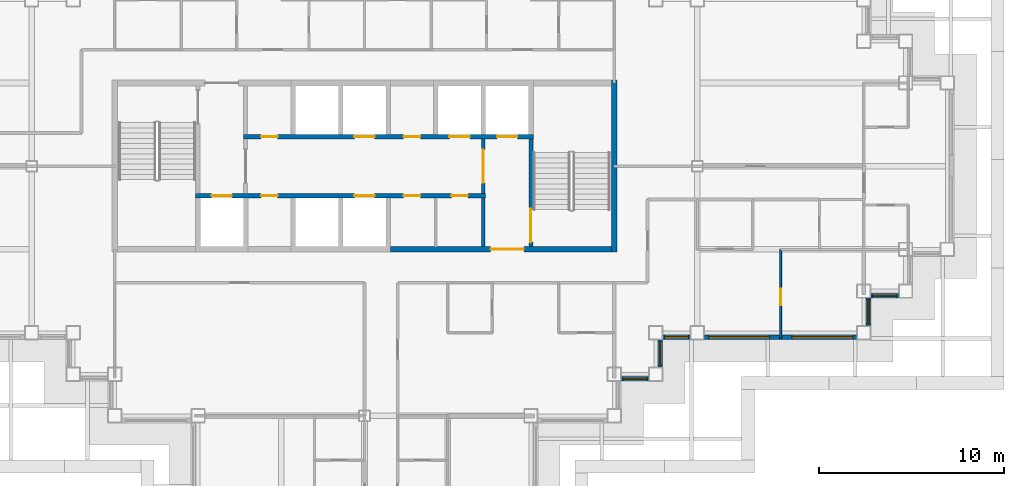
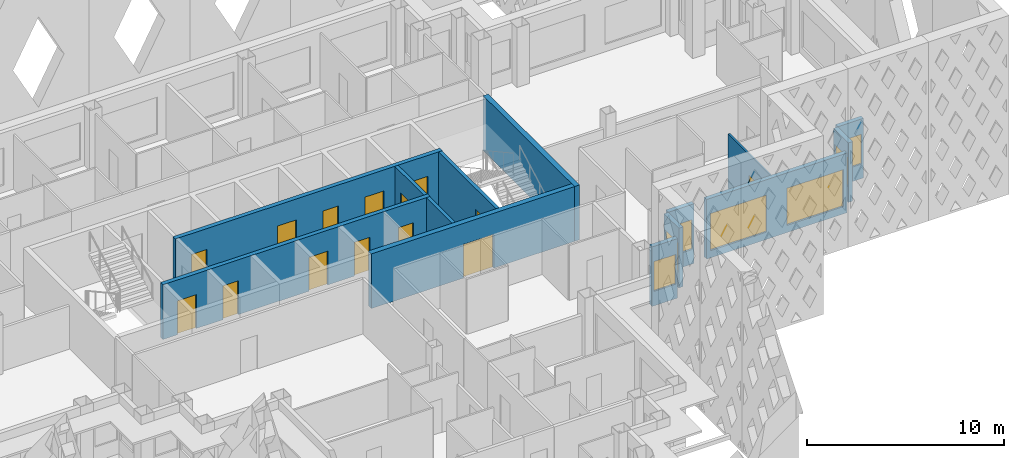
# One storey, part 6 of 18: 14 doors, 14 walls, 7 windows, 21 openings.
"""IFC4 building model written with IfcOpenShell, lengths in metres."""

import ifcopenshell
import ifcopenshell.guid

model = None  # the IFC model being written
_history = None  # IfcOwnerHistory: only IFC2X3 demands one
_inside = {}  # id of a spatial element -> (the spatial element, [elements in it])
_under = {}  # id of a project, library or spatial element -> (it, [spatial elements below it])
_declared = {}  # id of a project -> (the project, [libraries it declares])
_typed = {}  # id of a type object -> (the type object, [elements of that type])
_made_of = {}  # id of a material, layer set ... -> (it, [elements and type objects made of it])


def new_model(schema):
    """Start an empty IFC model of exactly this schema.

    Asked for "IFC4X3", IfcOpenShell would pick the latest addendum, in which some entities
    have other attributes; the version numbers below select the first issue.
    IFC2X3 requires an IfcOwnerHistory on every rooted entity: one is made here for all.
    """
    global model, _history
    if schema == "IFC4X3":
        model = ifcopenshell.file(schema_version=(4, 3, 0, 0))
    else:
        model = ifcopenshell.file(schema=schema)
    _inside.clear()
    _under.clear()
    _declared.clear()
    _typed.clear()
    _made_of.clear()
    _history = None
    if model.schema == "IFC2X3":
        org = make("IfcOrganization", Name="unknown")
        user = make(
            "IfcPersonAndOrganization",
            ThePerson=make("IfcPerson", FamilyName="unknown"),
            TheOrganization=org,
        )
        app = make(
            "IfcApplication",
            ApplicationDeveloper=org,
            Version="unknown",
            ApplicationFullName="unknown",
            ApplicationIdentifier="unknown",
        )
        _history = make(
            "IfcOwnerHistory",
            OwningUser=user,
            OwningApplication=app,
            ChangeAction="ADDED",
            CreationDate=0,
        )
    return model


def make(cls, **values):
    """One entity of the class cls with the attributes given. An attribute that is None is left unset."""
    return model.create_entity(
        cls, **{name: value for name, value in values.items() if value is not None}
    )


def rooted(cls, **values):
    """An entity with a GlobalId (a new one), such as an element, a storey or a relation."""
    return make(cls, GlobalId=ifcopenshell.guid.new(), OwnerHistory=_history, **values)


def si_unit(unit_type, name, prefix=None):
    """IfcSIUnit, for example si_unit("LENGTHUNIT", "METRE", prefix="MILLI")."""
    return make("IfcSIUnit", UnitType=unit_type, Prefix=prefix, Name=name)


def assignment(units):
    """IfcUnitAssignment: the units of a project."""
    return None if units is None else make("IfcUnitAssignment", Units=units)


def point(xyz):
    """IfcCartesianPoint."""
    return None if xyz is None else make("IfcCartesianPoint", Coordinates=xyz)


def direction(xyz):
    """IfcDirection."""
    return None if xyz is None else make("IfcDirection", DirectionRatios=xyz)


def frame(location, z_axis=None, x_axis=None):
    """IfcAxis2Placement3D, a coordinate frame: its origin and axes. An axis left out is left unset."""
    return make(
        "IfcAxis2Placement3D",
        Location=point(location),
        Axis=direction(z_axis),
        RefDirection=direction(x_axis),
    )


def frame_2d(location, x_axis=None):
    """IfcAxis2Placement2D, a coordinate frame in the plane: its origin and x axis."""
    return make(
        "IfcAxis2Placement2D", Location=point(location), RefDirection=direction(x_axis)
    )


def origin():
    """The frame at (0, 0, 0) with its axes left unset."""
    return frame((0.0, 0.0, 0.0))


def place(relative_to, where):
    """IfcLocalPlacement: puts the frame where relative to a parent placement (None: the world)."""
    return make(
        "IfcLocalPlacement", PlacementRelTo=relative_to, RelativePlacement=where
    )


def context(
    kind, dimensions, precision=None, world=None, true_north=None, identifier=None
):
    """IfcGeometricRepresentationContext, for example the 3D "Model" context."""
    return make(
        "IfcGeometricRepresentationContext",
        ContextIdentifier=identifier,
        ContextType=kind,
        CoordinateSpaceDimension=dimensions,
        Precision=precision,
        WorldCoordinateSystem=world,
        TrueNorth=true_north,
    )


def subcontext(parent, identifier, kind, view, scale=None):
    """IfcGeometricRepresentationSubContext, for example "Body" below "Model"."""
    return make(
        "IfcGeometricRepresentationSubContext",
        ContextIdentifier=identifier,
        ContextType=kind,
        ParentContext=parent,
        TargetScale=scale,
        TargetView=view,
    )


def project(units=None, contexts=None):
    """IfcProject with its units and contexts."""
    return rooted(
        "IfcProject",
        Name="project",
        RepresentationContexts=contexts,
        UnitsInContext=assignment(units),
    )


def spatial(cls, under=None, at=None, **own):
    """A site, building, storey or space (cls), placed at a placement, below another one or the project."""
    s = rooted(cls, ObjectPlacement=at, **own)
    if under is not None:
        _under.setdefault(under.id(), (under, []))[1].append(s)
    return s


def profile(cls, at=None, kind="AREA", **sizes):
    """A parametric profile (cls). Its sizes go by their IFC names, for example OverallWidth=200.0."""
    return make(cls, ProfileType=kind, Position=at, **sizes)


def rectangle(**sizes):
    """IfcRectangleProfileDef."""
    return profile("IfcRectangleProfileDef", **sizes)


def extrude(swept, where, along, depth):
    """IfcExtrudedAreaSolid: the profile swept, set in the frame where, extruded along a direction by depth."""
    return make(
        "IfcExtrudedAreaSolid",
        SweptArea=swept,
        Position=where,
        ExtrudedDirection=direction(along),
        Depth=depth,
    )


def shape(context_of_items, identifier, shape_type, items):
    """IfcShapeRepresentation: the items that make up one representation, for example the "Body"."""
    return make(
        "IfcShapeRepresentation",
        ContextOfItems=context_of_items,
        RepresentationIdentifier=identifier,
        RepresentationType=shape_type,
        Items=items,
    )


def material(Name=None, Category=None):
    """IfcMaterial."""
    return make("IfcMaterial", Name=Name, Category=Category)


def layer(
    of_material, thickness, ventilated=None, Name=None, Category=None, Priority=None
):
    """IfcMaterialLayer: one layer of a wall or slab, of a material (None: an air gap)."""
    return make(
        "IfcMaterialLayer",
        Material=of_material,
        LayerThickness=thickness,
        IsVentilated=ventilated,
        Name=Name,
        Category=Category,
        Priority=Priority,
    )


def layer_set(layers, Name=None):
    """IfcMaterialLayerSet."""
    return make("IfcMaterialLayerSet", MaterialLayers=layers, LayerSetName=Name)


def made_of(thing, what):
    """Note that an element or type object is made of a material, layer set ...; save() writes the relation."""
    if what is not None:
        _made_of.setdefault(what.id(), (what, []))[1].append(thing)
    return thing


def type_object(cls, material=None, **own):
    """A type object (cls), such as IfcWallType, which elements share."""
    return made_of(rooted(cls, **own), material)


def element(
    cls,
    number,
    at=None,
    inside=None,
    cuts=None,
    type_object=None,
    material=None,
    context=None,
    identifier="Body",
    shape_type=None,
    held_by="IfcProductDefinitionShape",
    body=None,
    shapes=None,
    **own,
):
    """One element of the class cls, such as IfcWall. Its Tag is "e" and its number.

    at: its placement. inside: the storey or other place that contains it. cuts: it is an
    opening in that element (IfcRelVoidsElement). A single representation is given by context,
    identifier, shape_type and body (its items); several are given by shapes. held_by: the class
    of the entity that holds the representations. save() writes the other relations.
    """
    e = rooted(cls, Tag="e%d" % number, ObjectPlacement=at, **own)
    if body is not None:
        shapes = [shape(context, identifier, shape_type, body)]
    if shapes is not None:
        e.Representation = make(held_by, Representations=shapes)
    if inside is not None:
        _inside.setdefault(inside.id(), (inside, []))[1].append(e)
    if cuts is not None:
        rooted(
            "IfcRelVoidsElement", RelatingBuildingElement=cuts, RelatedOpeningElement=e
        )
    if type_object is not None:
        _typed.setdefault(type_object.id(), (type_object, []))[1].append(e)
    return made_of(e, material)


def fill(opening, filler):
    """IfcRelFillsElement: the door or window that sits in an opening."""
    return rooted(
        "IfcRelFillsElement",
        RelatingOpeningElement=opening,
        RelatedBuildingElement=filler,
    )


def aggregate(whole, parts):
    """IfcRelAggregates: a whole, such as a stair, and the parts it consists of."""
    return rooted("IfcRelAggregates", RelatingObject=whole, RelatedObjects=parts)


def save(model, path):
    """Write the relations noted so far, then the file.

    IfcRelAggregates (storeys below a building ...), IfcRelContainedInSpatialStructure (elements
    in a storey), IfcRelDefinesByType, IfcRelAssociatesMaterial and IfcRelDeclares: one each for
    every whole, place, type object, material and project.
    """
    for whole, parts in _under.values():
        aggregate(whole, parts)
    for where, things in _inside.values():
        rooted(
            "IfcRelContainedInSpatialStructure",
            RelatedElements=things,
            RelatingStructure=where,
        )
    for kind, things in _typed.values():
        rooted("IfcRelDefinesByType", RelatedObjects=things, RelatingType=kind)
    for what, things in _made_of.values():
        rooted("IfcRelAssociatesMaterial", RelatedObjects=things, RelatingMaterial=what)
    for by, libraries in _declared.values():
        rooted("IfcRelDeclares", RelatingContext=by, RelatedDefinitions=libraries)
    model.write(path)


model = new_model("IFC4")

# Units and contexts
model_context = context("Model", 3, precision=1e-05, world=origin(), true_north=direction((0.0, 1.0)))
body_context = subcontext(model_context, "Body", "Model", "MODEL_VIEW")
ifc_project = project(units=[si_unit("LENGTHUNIT", "METRE"), si_unit("AREAUNIT", "SQUARE_METRE"), si_unit("VOLUMEUNIT", "CUBIC_METRE"), si_unit("PLANEANGLEUNIT", "RADIAN"), si_unit("MASSUNIT", "GRAM", prefix="KILO")], contexts=[model_context])

# Site, building, storey
site_placement = place(None, origin())
site = spatial("IfcSite", under=ifc_project, at=site_placement, CompositionType="ELEMENT")
building_placement = place(site_placement, origin())
building = spatial("IfcBuilding", under=site, at=building_placement, Name="Caravel Reach Hotel and Residences", CompositionType="ELEMENT")
storey_placement = place(building_placement, frame((0.0, 0.0, 176.5)))
storey = spatial("IfcBuildingStorey", under=building, at=storey_placement, Name="L44", CompositionType="ELEMENT", Elevation=176.5)

# Wall
ifc_material_1 = material(Name="Autoclaved aerated block wall")
ifc_layer_1 = layer(ifc_material_1, 0.199951171875)
ifc_layer_set_1 = layer_set([ifc_layer_1], Name="Compartment wall 200 mm EI 120")
wall_type_1 = type_object("IfcWallType", Name="Compartment wall 200 mm EI 120", PredefinedType="PARTITIONING", material=ifc_layer_set_1)
wall_1_placement = place(storey_placement, frame((37.928466796875, 22.64990234375, 0.0), z_axis=(0.0, 0.0, 1.0), x_axis=(0.0, 1.0, 0.0)))
element("IfcWall", 1, at=wall_1_placement, inside=storey, type_object=wall_type_1, Name="L44 store partition", PredefinedType="PARTITIONING", context=body_context, shape_type="SweptSolid", body=[
    extrude(rectangle(XDim=2.625, YDim=0.199951171875, at=frame_2d((1.3125, 0.0))), origin(), (0.0, 0.0, 1.0), 3.39990234375),
])

# Wall, opening, door
ifc_material_2 = material(Name="Concrete C60", Category="concrete")
ifc_layer_2 = layer(ifc_material_2, 0.300048828125)
ifc_layer_set_2 = layer_set([ifc_layer_2], Name="Core wall 300 mm EI 120")
wall_type_2 = type_object("IfcWallType", Name="Core wall 300 mm EI 120", PredefinedType="SHEAR", material=ifc_layer_set_2)
wall_2_placement = place(storey_placement, frame((32.91064453125, 22.5, 0.0), z_axis=(0.0, 0.0, 1.0), x_axis=(1.0, 0.0, 0.0)))
wall_2 = element("IfcWall", 2, at=wall_2_placement, inside=storey, type_object=wall_type_2, Name="L44 core wall S3", PredefinedType="SHEAR", context=body_context, shape_type="SweptSolid", body=[
    extrude(rectangle(XDim=11.939453125, YDim=0.300048828125, at=frame_2d((5.9697265625, 0.0))), origin(), (0.0, 0.0, 1.0), 3.39990234375),
])
opening_1_placement = place(wall_2_placement, frame((5.403564453125, 0.0, 0.0)))
opening_1 = element("IfcOpeningElement", 3, at=opening_1_placement, cuts=wall_2, Name="Opening D44-016", PredefinedType="OPENING", context=body_context, shape_type="SweptSolid", body=[
    extrude(rectangle(XDim=1.800048828125, YDim=2.10009765625, at=frame_2d((0.89990234375, 1.050048828125))), frame((0.0, 0.159912109375, 0.0), z_axis=(0.0, -1.0, 0.0), x_axis=(1.0, 0.0, 0.0)), (0.0, 0.0, 1.0), 0.320068359375),
])
ifc_material_3 = material(Name="Steel fire door leaf", Category="steel")
door_type_1 = type_object("IfcDoorType", Name="Fire lobby door pair 1800 x 2100 EI 90", OperationType="DOUBLE_DOOR_SINGLE_SWING", PredefinedType="DOOR", material=ifc_material_3)
door_1_placement = place(opening_1_placement, origin())
door_1 = element("IfcDoor", 4, at=door_1_placement, inside=storey, type_object=door_type_1, Name="lobby S door pair to corridor", OperationType="DOUBLE_DOOR_SINGLE_SWING", OverallHeight=2.10009765625, OverallWidth=1.800048828125, PredefinedType="DOOR", context=body_context, shape_type="SweptSolid", body=[
    extrude(rectangle(XDim=1.800048828125, YDim=2.10009765625, at=frame_2d((0.89990234375, 1.050048828125))), frame((0.0, 0.02490234375, 0.0), z_axis=(0.0, -1.0, 0.0), x_axis=(1.0, 0.0, 0.0)), (0.0, 0.0, 1.0), 0.050048828125),
])
fill(opening_1, door_1)

# Wall
wall_3_placement = place(storey_placement, frame((45.0, 22.35009765625, 0.0), z_axis=(0.0, 0.0, 1.0), x_axis=(0.0, 1.0, 0.0)))
element("IfcWall", 5, at=wall_3_placement, inside=storey, type_object=wall_type_2, Name="L44 core wall E", PredefinedType="SHEAR", context=body_context, shape_type="SweptSolid", body=[
    extrude(rectangle(XDim=9.2998046875, YDim=0.300048828125, at=frame_2d((4.64990234375, 0.0))), origin(), (0.0, 0.0, 1.0), 3.39990234375),
])

# Wall, opening, window
ifc_material_4 = material(Name="Insulated rainscreen wall, aluminium cladding", Category="aluminium")
ifc_layer_3 = layer(ifc_material_4, 0.25)
ifc_layer_set_3 = layer_set([ifc_layer_3], Name="EW1 Tower rainscreen wall")
wall_type_3 = type_object("IfcWallType", Name="EW1 Tower rainscreen wall", PredefinedType="SOLIDWALL", material=ifc_layer_set_3)
wall_4_placement = place(storey_placement, frame((45.375, 15.5, 0.0), z_axis=(0.0, 0.0, 1.0), x_axis=(1.0, 0.0, 0.0)))
wall_4 = element("IfcWall", 6, at=wall_4_placement, inside=storey, type_object=wall_type_3, Name="External wall L44 S13.1", PredefinedType="SOLIDWALL", context=body_context, shape_type="SweptSolid", body=[
    extrude(rectangle(XDim=1.5, YDim=0.25, at=frame_2d((0.75, 0.0))), origin(), (0.0, 0.0, 1.0), 3.699951171875),
])
opening_2_placement = place(wall_4_placement, frame((0.10009765625, 0.0, 0.89990234375)))
opening_2 = element("IfcOpeningElement", 7, at=opening_2_placement, cuts=wall_4, Name="Opening WN16", PredefinedType="OPENING", context=body_context, shape_type="SweptSolid", body=[
    extrude(rectangle(XDim=1.300048828125, YDim=1.85009765625, at=frame_2d((0.64990234375, 0.925048828125))), frame((0.0, 0.135009765625, 0.0), z_axis=(0.0, -1.0, 0.0), x_axis=(1.0, 0.0, 0.0)), (0.0, 0.0, 1.0), 0.27001953125),
])
ifc_material_5 = material(Name="Dark low-e glazing in black aluminium frame", Category="aluminium")
window_type_1 = type_object("IfcWindowType", Name="Residence bedroom window 1300 x 1850", PartitioningType="SINGLE_PANEL", PredefinedType="WINDOW", material=ifc_material_5)
window_1_placement = place(opening_2_placement, origin())
window_1 = element("IfcWindow", 8, at=window_1_placement, inside=storey, type_object=window_type_1, Name="Window L44 S13.1.1", OverallHeight=1.85009765625, OverallWidth=1.300048828125, PartitioningType="SINGLE_PANEL", PredefinedType="WINDOW", context=body_context, shape_type="SweptSolid", body=[
    extrude(rectangle(XDim=1.300048828125, YDim=1.85009765625, at=frame_2d((0.64990234375, 0.925048828125))), frame((0.0, 0.030029296875, 0.0), z_axis=(0.0, -1.0, 0.0), x_axis=(1.0, 0.0, 0.0)), (0.0, 0.0, 1.0), 0.06005859375),
])
fill(opening_2, window_1)

wall_5_placement = place(storey_placement, frame((47.5, 16.125, 0.0), z_axis=(0.0, 0.0, 1.0), x_axis=(0.0, 1.0, 0.0)))
wall_5 = element("IfcWall", 9, at=wall_5_placement, inside=storey, type_object=wall_type_3, Name="External wall L44 E14.1", PredefinedType="SOLIDWALL", context=body_context, shape_type="SweptSolid", body=[
    extrude(rectangle(XDim=1.5, YDim=0.25, at=frame_2d((0.75, 0.0))), origin(), (0.0, 0.0, 1.0), 3.699951171875),
])
opening_3_placement = place(wall_5_placement, frame((0.10009765625, 0.0, 0.89990234375)))
opening_3 = element("IfcOpeningElement", 10, at=opening_3_placement, cuts=wall_5, Name="Opening WN16", PredefinedType="OPENING", context=body_context, shape_type="SweptSolid", body=[
    extrude(rectangle(XDim=1.300048828125, YDim=1.85009765625, at=frame_2d((0.64990234375, 0.925048828125))), frame((0.0, 0.135009765625, 0.0), z_axis=(0.0, -1.0, 0.0), x_axis=(1.0, 0.0, 0.0)), (0.0, 0.0, 1.0), 0.27001953125),
])
window_2_placement = place(opening_3_placement, origin())
window_2 = element("IfcWindow", 11, at=window_2_placement, inside=storey, type_object=window_type_1, Name="Window L44 E14.1.1", OverallHeight=1.85009765625, OverallWidth=1.300048828125, PartitioningType="SINGLE_PANEL", PredefinedType="WINDOW", context=body_context, shape_type="SweptSolid", body=[
    extrude(rectangle(XDim=1.300048828125, YDim=1.85009765625, at=frame_2d((0.64990234375, 0.925048828125))), frame((0.0, 0.030029296875, 0.0), z_axis=(0.0, -1.0, 0.0), x_axis=(1.0, 0.0, 0.0)), (0.0, 0.0, 1.0), 0.06005859375),
])
fill(opening_3, window_2)

wall_6_placement = place(storey_placement, frame((47.625, 17.75, 0.0), z_axis=(0.0, 0.0, 1.0), x_axis=(1.0, 0.0, 0.0)))
wall_6 = element("IfcWall", 12, at=wall_6_placement, inside=storey, type_object=wall_type_3, Name="External wall L44 S15.1", PredefinedType="SOLIDWALL", context=body_context, shape_type="SweptSolid", body=[
    extrude(rectangle(XDim=1.5, YDim=0.25, at=frame_2d((0.75, 0.0))), origin(), (0.0, 0.0, 1.0), 3.699951171875),
])
opening_4_placement = place(wall_6_placement, frame((0.10009765625, 0.0, 0.89990234375)))
opening_4 = element("IfcOpeningElement", 13, at=opening_4_placement, cuts=wall_6, Name="Opening WN16", PredefinedType="OPENING", context=body_context, shape_type="SweptSolid", body=[
    extrude(rectangle(XDim=1.300048828125, YDim=1.85009765625, at=frame_2d((0.64990234375, 0.925048828125))), frame((0.0, 0.135009765625, 0.0), z_axis=(0.0, -1.0, 0.0), x_axis=(1.0, 0.0, 0.0)), (0.0, 0.0, 1.0), 0.27001953125),
])
window_3_placement = place(opening_4_placement, origin())
window_3 = element("IfcWindow", 14, at=window_3_placement, inside=storey, type_object=window_type_1, Name="Window L44 S15.1.1", OverallHeight=1.85009765625, OverallWidth=1.300048828125, PartitioningType="SINGLE_PANEL", PredefinedType="WINDOW", context=body_context, shape_type="SweptSolid", body=[
    extrude(rectangle(XDim=1.300048828125, YDim=1.85009765625, at=frame_2d((0.64990234375, 0.925048828125))), frame((0.0, 0.030029296875, 0.0), z_axis=(0.0, -1.0, 0.0), x_axis=(1.0, 0.0, 0.0)), (0.0, 0.0, 1.0), 0.06005859375),
])
fill(opening_4, window_3)

# Wall, openings, windows
wall_7_placement = place(storey_placement, frame((49.875, 17.75, 0.0), z_axis=(0.0, 0.0, 1.0), x_axis=(1.0, 0.0, 0.0)))
wall_7 = element("IfcWall", 15, at=wall_7_placement, inside=storey, type_object=wall_type_3, Name="External wall L44 S15.2", PredefinedType="SOLIDWALL", context=body_context, shape_type="SweptSolid", body=[
    extrude(rectangle(XDim=8.25, YDim=0.25, at=frame_2d((4.125, 0.0))), origin(), (0.0, 0.0, 1.0), 3.699951171875),
])
opening_5_placement = place(wall_7_placement, frame((0.22509765625, 0.0, 0.449951171875)))
opening_5 = element("IfcOpeningElement", 16, at=opening_5_placement, cuts=wall_7, Name="Opening WN15", PredefinedType="OPENING", context=body_context, shape_type="SweptSolid", body=[
    extrude(rectangle(XDim=3.300048828125, YDim=2.300048828125, at=frame_2d((1.64990234375, 1.14990234375))), frame((0.0, 0.135009765625, 0.0), z_axis=(0.0, -1.0, 0.0), x_axis=(1.0, 0.0, 0.0)), (0.0, 0.0, 1.0), 0.27001953125),
])
opening_6_placement = place(wall_7_placement, frame((4.72509765625, 0.0, 0.449951171875)))
opening_6 = element("IfcOpeningElement", 17, at=opening_6_placement, cuts=wall_7, Name="Opening WN15", PredefinedType="OPENING", context=body_context, shape_type="SweptSolid", body=[
    extrude(rectangle(XDim=3.300048828125, YDim=2.300048828125, at=frame_2d((1.64990234375, 1.14990234375))), frame((0.0, 0.135009765625, 0.0), z_axis=(0.0, -1.0, 0.0), x_axis=(1.0, 0.0, 0.0)), (0.0, 0.0, 1.0), 0.27001953125),
])
ifc_material_6 = material(Name="Dark low-e glazing in black aluminium frame", Category="aluminium")
window_type_2 = type_object("IfcWindowType", Name="Residence living window 3300 x 2300", PartitioningType="SINGLE_PANEL", PredefinedType="WINDOW", material=ifc_material_6)
window_4_placement = place(opening_5_placement, origin())
window_4 = element("IfcWindow", 18, at=window_4_placement, inside=storey, type_object=window_type_2, Name="Window L44 S15.2.1", OverallHeight=2.300048828125, OverallWidth=3.300048828125, PartitioningType="SINGLE_PANEL", PredefinedType="WINDOW", context=body_context, shape_type="SweptSolid", body=[
    extrude(rectangle(XDim=3.300048828125, YDim=2.300048828125, at=frame_2d((1.64990234375, 1.14990234375))), frame((0.0, 0.030029296875, 0.0), z_axis=(0.0, -1.0, 0.0), x_axis=(1.0, 0.0, 0.0)), (0.0, 0.0, 1.0), 0.06005859375),
])
fill(opening_5, window_4)
window_5_placement = place(opening_6_placement, origin())
window_5 = element("IfcWindow", 19, at=window_5_placement, inside=storey, type_object=window_type_2, Name="Window L44 S15.2.2", OverallHeight=2.300048828125, OverallWidth=3.300048828125, PartitioningType="SINGLE_PANEL", PredefinedType="WINDOW", context=body_context, shape_type="SweptSolid", body=[
    extrude(rectangle(XDim=3.300048828125, YDim=2.300048828125, at=frame_2d((1.64990234375, 1.14990234375))), frame((0.0, 0.030029296875, 0.0), z_axis=(0.0, -1.0, 0.0), x_axis=(1.0, 0.0, 0.0)), (0.0, 0.0, 1.0), 0.06005859375),
])
fill(opening_6, window_5)

# Wall, opening, window
wall_8_placement = place(storey_placement, frame((58.75, 18.375, 0.0), z_axis=(0.0, 0.0, 1.0), x_axis=(0.0, 1.0, 0.0)))
wall_8 = element("IfcWall", 20, at=wall_8_placement, inside=storey, type_object=wall_type_3, Name="External wall L44 E16.1", PredefinedType="SOLIDWALL", context=body_context, shape_type="SweptSolid", body=[
    extrude(rectangle(XDim=1.5, YDim=0.25, at=frame_2d((0.75, 0.0))), origin(), (0.0, 0.0, 1.0), 3.699951171875),
])
opening_7_placement = place(wall_8_placement, frame((0.10009765625, 0.0, 0.89990234375)))
opening_7 = element("IfcOpeningElement", 21, at=opening_7_placement, cuts=wall_8, Name="Opening WN16", PredefinedType="OPENING", context=body_context, shape_type="SweptSolid", body=[
    extrude(rectangle(XDim=1.300048828125, YDim=1.85009765625, at=frame_2d((0.64990234375, 0.925048828125))), frame((0.0, 0.135009765625, 0.0), z_axis=(0.0, -1.0, 0.0), x_axis=(1.0, 0.0, 0.0)), (0.0, 0.0, 1.0), 0.27001953125),
])
window_6_placement = place(opening_7_placement, origin())
window_6 = element("IfcWindow", 22, at=window_6_placement, inside=storey, type_object=window_type_1, Name="Window L44 E16.1.1", OverallHeight=1.85009765625, OverallWidth=1.300048828125, PartitioningType="SINGLE_PANEL", PredefinedType="WINDOW", context=body_context, shape_type="SweptSolid", body=[
    extrude(rectangle(XDim=1.300048828125, YDim=1.85009765625, at=frame_2d((0.64990234375, 0.925048828125))), frame((0.0, 0.030029296875, 0.0), z_axis=(0.0, -1.0, 0.0), x_axis=(1.0, 0.0, 0.0)), (0.0, 0.0, 1.0), 0.06005859375),
])
fill(opening_7, window_6)

wall_9_placement = place(storey_placement, frame((58.875, 20.0, 0.0), z_axis=(0.0, 0.0, 1.0), x_axis=(1.0, 0.0, 0.0)))
wall_9 = element("IfcWall", 23, at=wall_9_placement, inside=storey, type_object=wall_type_3, Name="External wall L44 S17.1", PredefinedType="SOLIDWALL", context=body_context, shape_type="SweptSolid", body=[
    extrude(rectangle(XDim=1.5, YDim=0.25, at=frame_2d((0.75, 0.0))), origin(), (0.0, 0.0, 1.0), 3.699951171875),
])
opening_8_placement = place(wall_9_placement, frame((0.10009765625, 0.0, 0.89990234375)))
opening_8 = element("IfcOpeningElement", 24, at=opening_8_placement, cuts=wall_9, Name="Opening WN16", PredefinedType="OPENING", context=body_context, shape_type="SweptSolid", body=[
    extrude(rectangle(XDim=1.300048828125, YDim=1.85009765625, at=frame_2d((0.64990234375, 0.925048828125))), frame((0.0, 0.135009765625, 0.0), z_axis=(0.0, -1.0, 0.0), x_axis=(1.0, 0.0, 0.0)), (0.0, 0.0, 1.0), 0.27001953125),
])
window_7_placement = place(opening_8_placement, origin())
window_7 = element("IfcWindow", 25, at=window_7_placement, inside=storey, type_object=window_type_1, Name="Window L44 S17.1.1", OverallHeight=1.85009765625, OverallWidth=1.300048828125, PartitioningType="SINGLE_PANEL", PredefinedType="WINDOW", context=body_context, shape_type="SweptSolid", body=[
    extrude(rectangle(XDim=1.300048828125, YDim=1.85009765625, at=frame_2d((0.64990234375, 0.925048828125))), frame((0.0, 0.030029296875, 0.0), z_axis=(0.0, -1.0, 0.0), x_axis=(1.0, 0.0, 0.0)), (0.0, 0.0, 1.0), 0.06005859375),
])
fill(opening_8, window_7)

# Wall, opening, door
ifc_material_7 = material(Name="Autoclaved aerated block wall")
ifc_layer_4 = layer(ifc_material_7, 0.199951171875)
ifc_layer_set_4 = layer_set([ifc_layer_4], Name="Fire lobby wall 200 mm EI 120")
wall_type_4 = type_object("IfcWallType", Name="Fire lobby wall 200 mm EI 120", PredefinedType="PARTITIONING", material=ifc_layer_set_4)
wall_10_placement = place(storey_placement, frame((37.928466796875, 25.52490234375, 0.0), z_axis=(0.0, 0.0, 1.0), x_axis=(0.0, 1.0, 0.0)))
wall_10 = element("IfcWall", 26, at=wall_10_placement, inside=storey, type_object=wall_type_4, Name="L44 lobby E wall", PredefinedType="PARTITIONING", context=body_context, shape_type="SweptSolid", body=[
    extrude(rectangle(XDim=2.9501953125, YDim=0.199951171875, at=frame_2d((1.47509765625, 0.0))), origin(), (0.0, 0.0, 1.0), 3.39990234375),
])
opening_9_placement = place(wall_10_placement, frame((0.574951171875, 0.0, 0.0)))
opening_9 = element("IfcOpeningElement", 27, at=opening_9_placement, cuts=wall_10, Name="Opening D44-014", PredefinedType="OPENING", context=body_context, shape_type="SweptSolid", body=[
    extrude(rectangle(XDim=1.800048828125, YDim=2.10009765625, at=frame_2d((0.89990234375, 1.050048828125))), frame((0.0, 0.10986328125, 0.0), z_axis=(0.0, -1.0, 0.0), x_axis=(1.0, 0.0, 0.0)), (0.0, 0.0, 1.0), 0.219970703125),
])
door_2_placement = place(opening_9_placement, origin())
door_2 = element("IfcDoor", 28, at=door_2_placement, inside=storey, type_object=door_type_1, Name="lobby E door pair", OperationType="DOUBLE_DOOR_SINGLE_SWING", OverallHeight=2.10009765625, OverallWidth=1.800048828125, PredefinedType="DOOR", context=body_context, shape_type="SweptSolid", body=[
    extrude(rectangle(XDim=1.800048828125, YDim=2.10009765625, at=frame_2d((0.89990234375, 1.050048828125))), frame((0.0, 0.02490234375, 0.0), z_axis=(0.0, -1.0, 0.0), x_axis=(1.0, 0.0, 0.0)), (0.0, 0.0, 1.0), 0.050048828125),
])
fill(opening_9, door_2)

ifc_material_8 = material(Name="Gypsum board on steel stud", Category="steel")
ifc_layer_5 = layer(ifc_material_8, 0.10009765625)
ifc_layer_set_5 = layer_set([ifc_layer_5], Name="Partition 100 mm")
wall_type_5 = type_object("IfcWallType", Name="Partition 100 mm", PredefinedType="PARTITIONING", material=ifc_layer_set_5)
wall_11_placement = place(storey_placement, frame((54.0, 17.68505859375, 0.0), z_axis=(0.0, 0.0, 1.0), x_axis=(0.0, 1.0, 0.0)))
wall_11 = element("IfcWall", 29, at=wall_11_placement, inside=storey, type_object=wall_type_5, Name="L44 wall w075", PredefinedType="PARTITIONING", context=body_context, shape_type="SweptSolid", body=[
    extrude(rectangle(XDim=4.81494140625, YDim=0.10009765625, at=frame_2d((2.407470703125, 0.0))), origin(), (0.0, 0.0, 1.0), 3.39990234375),
])
opening_10_placement = place(wall_11_placement, frame((1.800048828125, 0.0, 0.0)))
opening_10 = element("IfcOpeningElement", 30, at=opening_10_placement, cuts=wall_11, Name="Opening D44-035", PredefinedType="OPENING", context=body_context, shape_type="SweptSolid", body=[
    extrude(rectangle(XDim=0.89990234375, YDim=2.10009765625, at=frame_2d((0.449951171875, 1.050048828125))), frame((0.0, 0.06005859375, 0.0), z_axis=(0.0, -1.0, 0.0), x_axis=(1.0, 0.0, 0.0)), (0.0, 0.0, 1.0), 0.1201171875),
])
ifc_material_9 = material(Name="Timber and steel door leaf", Category="steel")
door_type_2 = type_object("IfcDoorType", Name="Door 900 x 2100 timber", OperationType="SINGLE_SWING_LEFT", PredefinedType="DOOR", material=ifc_material_9)
door_3_placement = place(opening_10_placement, origin())
door_3 = element("IfcDoor", 31, at=door_3_placement, inside=storey, type_object=door_type_2, Name="door D44-035", OperationType="SINGLE_SWING_LEFT", OverallHeight=2.10009765625, OverallWidth=0.89990234375, PredefinedType="DOOR", context=body_context, shape_type="SweptSolid", body=[
    extrude(rectangle(XDim=0.89990234375, YDim=2.10009765625, at=frame_2d((0.449951171875, 1.050048828125))), frame((0.0, 0.02490234375, 0.0), z_axis=(0.0, -1.0, 0.0), x_axis=(1.0, 0.0, 0.0)), (0.0, 0.0, 1.0), 0.050048828125),
])
fill(opening_10, door_3)

# Wall, openings, doors
ifc_material_10 = material(Name="Concrete C60", Category="concrete")
ifc_layer_6 = layer(ifc_material_10, 0.25)
ifc_layer_set_6 = layer_set([ifc_layer_6], Name="Shaft wall 250 mm EI 120")
wall_type_6 = type_object("IfcWallType", Name="Shaft wall 250 mm EI 120", PredefinedType="SHEAR", material=ifc_layer_set_6)
wall_12_placement = place(storey_placement, frame((22.375, 25.39990234375, 0.0), z_axis=(0.0, 0.0, 1.0), x_axis=(1.0, 0.0, 0.0)))
wall_12 = element("IfcWall", 32, at=wall_12_placement, inside=storey, type_object=wall_type_6, Name="L44 lobby wall S1", PredefinedType="SHEAR", context=body_context, shape_type="SweptSolid", body=[
    extrude(rectangle(XDim=15.678466796875, YDim=0.25, at=frame_2d((7.83935546875, 0.0))), origin(), (0.0, 0.0, 1.0), 3.39990234375),
])
opening_11_placement = place(wall_12_placement, frame((8.574951171875, 0.0, 0.0)))
opening_11 = element("IfcOpeningElement", 33, at=opening_11_placement, cuts=wall_12, Name="Opening D44-001", PredefinedType="OPENING", context=body_context, shape_type="SweptSolid", body=[
    extrude(rectangle(XDim=1.10009765625, YDim=2.10009765625, at=frame_2d((0.550048828125, 1.050048828125))), frame((0.0, 0.135009765625, 0.0), z_axis=(0.0, -1.0, 0.0), x_axis=(1.0, 0.0, 0.0)), (0.0, 0.0, 1.0), 0.27001953125),
])
opening_12_placement = place(wall_12_placement, frame((0.860595703125, 0.0, 0.0)))
opening_12 = element("IfcOpeningElement", 34, at=opening_12_placement, cuts=wall_12, Name="Opening D44-004", PredefinedType="OPENING", context=body_context, shape_type="SweptSolid", body=[
    extrude(rectangle(XDim=1.10009765625, YDim=2.10009765625, at=frame_2d((0.550048828125, 1.050048828125))), frame((0.0, 0.135009765625, 0.0), z_axis=(0.0, -1.0, 0.0), x_axis=(1.0, 0.0, 0.0)), (0.0, 0.0, 1.0), 0.27001953125),
])
opening_13_placement = place(wall_12_placement, frame((3.531982421875, 0.0, 0.0)))
opening_13 = element("IfcOpeningElement", 35, at=opening_13_placement, cuts=wall_12, Name="Opening D44-006", PredefinedType="OPENING", context=body_context, shape_type="SweptSolid", body=[
    extrude(rectangle(XDim=0.89990234375, YDim=2.10009765625, at=frame_2d((0.449951171875, 1.050048828125))), frame((0.0, 0.135009765625, 0.0), z_axis=(0.0, -1.0, 0.0), x_axis=(1.0, 0.0, 0.0)), (0.0, 0.0, 1.0), 0.27001953125),
])
opening_14_placement = place(wall_12_placement, frame((11.246337890625, 0.0, 0.0)))
opening_14 = element("IfcOpeningElement", 36, at=opening_14_placement, cuts=wall_12, Name="Opening D44-007", PredefinedType="OPENING", context=body_context, shape_type="SweptSolid", body=[
    extrude(rectangle(XDim=0.89990234375, YDim=2.10009765625, at=frame_2d((0.449951171875, 1.050048828125))), frame((0.0, 0.135009765625, 0.0), z_axis=(0.0, -1.0, 0.0), x_axis=(1.0, 0.0, 0.0)), (0.0, 0.0, 1.0), 0.27001953125),
])
opening_15_placement = place(wall_12_placement, frame((13.81787109375, 0.0, 0.0)))
opening_15 = element("IfcOpeningElement", 37, at=opening_15_placement, cuts=wall_12, Name="Opening D44-008", PredefinedType="OPENING", context=body_context, shape_type="SweptSolid", body=[
    extrude(rectangle(XDim=0.89990234375, YDim=2.10009765625, at=frame_2d((0.449951171875, 1.050048828125))), frame((0.0, 0.135009765625, 0.0), z_axis=(0.0, -1.0, 0.0), x_axis=(1.0, 0.0, 0.0)), (0.0, 0.0, 1.0), 0.27001953125),
])
ifc_material_11 = material(Name="Stainless steel landing door", Category="steel")
door_type_3 = type_object("IfcDoorType", Name="Landing door LD 1100 x 2100 sliding", OperationType="DOUBLE_DOOR_SLIDING", PredefinedType="DOOR", material=ifc_material_11)
door_4_placement = place(opening_11_placement, origin())
door_4 = element("IfcDoor", 38, at=door_4_placement, inside=storey, type_object=door_type_3, Name="MP1 landing door", OperationType="DOUBLE_DOOR_SLIDING", OverallHeight=2.10009765625, OverallWidth=1.10009765625, PredefinedType="DOOR", context=body_context, shape_type="SweptSolid", body=[
    extrude(rectangle(XDim=1.10009765625, YDim=2.10009765625, at=frame_2d((0.550048828125, 1.050048828125))), frame((0.0, 0.02490234375, 0.0), z_axis=(0.0, -1.0, 0.0), x_axis=(1.0, 0.0, 0.0)), (0.0, 0.0, 1.0), 0.050048828125),
])
fill(opening_11, door_4)
door_5_placement = place(opening_12_placement, origin())
door_5 = element("IfcDoor", 39, at=door_5_placement, inside=storey, type_object=door_type_3, Name="FL1 landing door", OperationType="DOUBLE_DOOR_SLIDING", OverallHeight=2.10009765625, OverallWidth=1.10009765625, PredefinedType="DOOR", context=body_context, shape_type="SweptSolid", body=[
    extrude(rectangle(XDim=1.10009765625, YDim=2.10009765625, at=frame_2d((0.550048828125, 1.050048828125))), frame((0.0, 0.02490234375, 0.0), z_axis=(0.0, -1.0, 0.0), x_axis=(1.0, 0.0, 0.0)), (0.0, 0.0, 1.0), 0.050048828125),
])
fill(opening_12, door_5)
ifc_material_12 = material(Name="Steel fire door leaf", Category="steel")
door_type_4 = type_object("IfcDoorType", Name="Riser door 900 x 2100 EI 60", OperationType="SINGLE_SWING_LEFT", PredefinedType="DOOR", material=ifc_material_12)
door_6_placement = place(opening_13_placement, origin())
door_6 = element("IfcDoor", 40, at=door_6_placement, inside=storey, type_object=door_type_4, Name="Refuse store door", OperationType="SINGLE_SWING_LEFT", OverallHeight=2.10009765625, OverallWidth=0.89990234375, PredefinedType="DOOR", context=body_context, shape_type="SweptSolid", body=[
    extrude(rectangle(XDim=0.89990234375, YDim=2.10009765625, at=frame_2d((0.449951171875, 1.050048828125))), frame((0.0, 0.02490234375, 0.0), z_axis=(0.0, -1.0, 0.0), x_axis=(1.0, 0.0, 0.0)), (0.0, 0.0, 1.0), 0.050048828125),
])
fill(opening_13, door_6)
door_7_placement = place(opening_14_placement, origin())
door_7 = element("IfcDoor", 41, at=door_7_placement, inside=storey, type_object=door_type_4, Name="Housekeeping store door", OperationType="SINGLE_SWING_LEFT", OverallHeight=2.10009765625, OverallWidth=0.89990234375, PredefinedType="DOOR", context=body_context, shape_type="SweptSolid", body=[
    extrude(rectangle(XDim=0.89990234375, YDim=2.10009765625, at=frame_2d((0.449951171875, 1.050048828125))), frame((0.0, 0.02490234375, 0.0), z_axis=(0.0, -1.0, 0.0), x_axis=(1.0, 0.0, 0.0)), (0.0, 0.0, 1.0), 0.050048828125),
])
fill(opening_14, door_7)
door_8_placement = place(opening_15_placement, origin())
door_8 = element("IfcDoor", 42, at=door_8_placement, inside=storey, type_object=door_type_4, Name="Mail store door", OperationType="SINGLE_SWING_LEFT", OverallHeight=2.10009765625, OverallWidth=0.89990234375, PredefinedType="DOOR", context=body_context, shape_type="SweptSolid", body=[
    extrude(rectangle(XDim=0.89990234375, YDim=2.10009765625, at=frame_2d((0.449951171875, 1.050048828125))), frame((0.0, 0.02490234375, 0.0), z_axis=(0.0, -1.0, 0.0), x_axis=(1.0, 0.0, 0.0)), (0.0, 0.0, 1.0), 0.050048828125),
])
fill(opening_15, door_8)

wall_13_placement = place(storey_placement, frame((24.946533203125, 28.60009765625, 0.0), z_axis=(0.0, 0.0, 1.0), x_axis=(1.0, 0.0, 0.0)))
wall_13 = element("IfcWall", 43, at=wall_13_placement, inside=storey, type_object=wall_type_6, Name="L44 lobby wall N1", PredefinedType="SHEAR", context=body_context, shape_type="SweptSolid", body=[
    extrude(rectangle(XDim=15.678466796875, YDim=0.25, at=frame_2d((7.83935546875, 0.0))), origin(), (0.0, 0.0, 1.0), 3.39990234375),
])
opening_16_placement = place(wall_13_placement, frame((6.003662109375, 0.0, 0.0)))
opening_16 = element("IfcOpeningElement", 44, at=opening_16_placement, cuts=wall_13, Name="Opening D44-002", PredefinedType="OPENING", context=body_context, shape_type="SweptSolid", body=[
    extrude(rectangle(XDim=1.10009765625, YDim=2.10009765625, at=frame_2d((0.550048828125, 1.050048828125))), frame((0.0, 0.135009765625, 0.0), z_axis=(0.0, -1.0, 0.0), x_axis=(1.0, 0.0, 0.0)), (0.0, 0.0, 1.0), 0.27001953125),
])
opening_17_placement = place(wall_13_placement, frame((11.146484375, 0.0, 0.0)))
opening_17 = element("IfcOpeningElement", 45, at=opening_17_placement, cuts=wall_13, Name="Opening D44-003", PredefinedType="OPENING", context=body_context, shape_type="SweptSolid", body=[
    extrude(rectangle(XDim=1.10009765625, YDim=2.10009765625, at=frame_2d((0.550048828125, 1.050048828125))), frame((0.0, 0.135009765625, 0.0), z_axis=(0.0, -1.0, 0.0), x_axis=(1.0, 0.0, 0.0)), (0.0, 0.0, 1.0), 0.27001953125),
])
opening_18_placement = place(wall_13_placement, frame((13.718017578125, 0.0, 0.0)))
opening_18 = element("IfcOpeningElement", 46, at=opening_18_placement, cuts=wall_13, Name="Opening D44-005", PredefinedType="OPENING", context=body_context, shape_type="SweptSolid", body=[
    extrude(rectangle(XDim=1.10009765625, YDim=2.10009765625, at=frame_2d((0.550048828125, 1.050048828125))), frame((0.0, 0.135009765625, 0.0), z_axis=(0.0, -1.0, 0.0), x_axis=(1.0, 0.0, 0.0)), (0.0, 0.0, 1.0), 0.27001953125),
])
opening_19_placement = place(wall_13_placement, frame((0.960693359375, 0.0, 0.0)))
opening_19 = element("IfcOpeningElement", 47, at=opening_19_placement, cuts=wall_13, Name="Opening D44-009", PredefinedType="OPENING", context=body_context, shape_type="SweptSolid", body=[
    extrude(rectangle(XDim=0.89990234375, YDim=2.10009765625, at=frame_2d((0.449951171875, 1.050048828125))), frame((0.0, 0.135009765625, 0.0), z_axis=(0.0, -1.0, 0.0), x_axis=(1.0, 0.0, 0.0)), (0.0, 0.0, 1.0), 0.27001953125),
])
opening_20_placement = place(wall_13_placement, frame((8.675048828125, 0.0, 0.0)))
opening_20 = element("IfcOpeningElement", 48, at=opening_20_placement, cuts=wall_13, Name="Opening D44-010", PredefinedType="OPENING", context=body_context, shape_type="SweptSolid", body=[
    extrude(rectangle(XDim=0.89990234375, YDim=2.10009765625, at=frame_2d((0.449951171875, 1.050048828125))), frame((0.0, 0.135009765625, 0.0), z_axis=(0.0, -1.0, 0.0), x_axis=(1.0, 0.0, 0.0)), (0.0, 0.0, 1.0), 0.27001953125),
])
door_9_placement = place(opening_16_placement, origin())
door_9 = element("IfcDoor", 49, at=door_9_placement, inside=storey, type_object=door_type_3, Name="MP2 landing door", OperationType="DOUBLE_DOOR_SLIDING", OverallHeight=2.10009765625, OverallWidth=1.10009765625, PredefinedType="DOOR", context=body_context, shape_type="SweptSolid", body=[
    extrude(rectangle(XDim=1.10009765625, YDim=2.10009765625, at=frame_2d((0.550048828125, 1.050048828125))), frame((0.0, 0.02490234375, 0.0), z_axis=(0.0, -1.0, 0.0), x_axis=(1.0, 0.0, 0.0)), (0.0, 0.0, 1.0), 0.050048828125),
])
fill(opening_16, door_9)
door_10_placement = place(opening_17_placement, origin())
door_10 = element("IfcDoor", 50, at=door_10_placement, inside=storey, type_object=door_type_3, Name="MP3 landing door", OperationType="DOUBLE_DOOR_SLIDING", OverallHeight=2.10009765625, OverallWidth=1.10009765625, PredefinedType="DOOR", context=body_context, shape_type="SweptSolid", body=[
    extrude(rectangle(XDim=1.10009765625, YDim=2.10009765625, at=frame_2d((0.550048828125, 1.050048828125))), frame((0.0, 0.02490234375, 0.0), z_axis=(0.0, -1.0, 0.0), x_axis=(1.0, 0.0, 0.0)), (0.0, 0.0, 1.0), 0.050048828125),
])
fill(opening_17, door_10)
door_11_placement = place(opening_18_placement, origin())
door_11 = element("IfcDoor", 51, at=door_11_placement, inside=storey, type_object=door_type_3, Name="FL2 landing door", OperationType="DOUBLE_DOOR_SLIDING", OverallHeight=2.10009765625, OverallWidth=1.10009765625, PredefinedType="DOOR", context=body_context, shape_type="SweptSolid", body=[
    extrude(rectangle(XDim=1.10009765625, YDim=2.10009765625, at=frame_2d((0.550048828125, 1.050048828125))), frame((0.0, 0.02490234375, 0.0), z_axis=(0.0, -1.0, 0.0), x_axis=(1.0, 0.0, 0.0)), (0.0, 0.0, 1.0), 0.050048828125),
])
fill(opening_18, door_11)
door_12_placement = place(opening_19_placement, origin())
door_12 = element("IfcDoor", 52, at=door_12_placement, inside=storey, type_object=door_type_4, Name="Telecom room door", OperationType="SINGLE_SWING_LEFT", OverallHeight=2.10009765625, OverallWidth=0.89990234375, PredefinedType="DOOR", context=body_context, shape_type="SweptSolid", body=[
    extrude(rectangle(XDim=0.89990234375, YDim=2.10009765625, at=frame_2d((0.449951171875, 1.050048828125))), frame((0.0, 0.02490234375, 0.0), z_axis=(0.0, -1.0, 0.0), x_axis=(1.0, 0.0, 0.0)), (0.0, 0.0, 1.0), 0.050048828125),
])
fill(opening_19, door_12)
door_13_placement = place(opening_20_placement, origin())
door_13 = element("IfcDoor", 53, at=door_13_placement, inside=storey, type_object=door_type_4, Name="Recycling store door", OperationType="SINGLE_SWING_LEFT", OverallHeight=2.10009765625, OverallWidth=0.89990234375, PredefinedType="DOOR", context=body_context, shape_type="SweptSolid", body=[
    extrude(rectangle(XDim=0.89990234375, YDim=2.10009765625, at=frame_2d((0.449951171875, 1.050048828125))), frame((0.0, 0.02490234375, 0.0), z_axis=(0.0, -1.0, 0.0), x_axis=(1.0, 0.0, 0.0)), (0.0, 0.0, 1.0), 0.050048828125),
])
fill(opening_20, door_13)

# Wall, opening, door
ifc_material_13 = material(Name="Concrete C60", Category="concrete")
ifc_layer_7 = layer(ifc_material_13, 0.199951171875)
ifc_layer_set_7 = layer_set([ifc_layer_7], Name="Stair enclosure wall 200 mm EI 120")
wall_type_7 = type_object("IfcWallType", Name="Stair enclosure wall 200 mm EI 120", PredefinedType="SHEAR", material=ifc_layer_set_7)
wall_14_placement = place(storey_placement, frame((40.5, 22.64990234375, 0.0), z_axis=(0.0, 0.0, 1.0), x_axis=(0.0, 1.0, 0.0)))
wall_14 = element("IfcWall", 54, at=wall_14_placement, inside=storey, type_object=wall_type_7, Name="L44 stair B wall", PredefinedType="SHEAR", context=body_context, shape_type="SweptSolid", body=[
    extrude(rectangle(XDim=5.8251953125, YDim=0.199951171875, at=frame_2d((2.91259765625, 0.0))), origin(), (0.0, 0.0, 1.0), 3.39990234375),
])
opening_21_placement = place(wall_14_placement, frame((0.25, 0.0, 0.0)))
opening_21 = element("IfcOpeningElement", 55, at=opening_21_placement, cuts=wall_14, Name="Opening D44-012", PredefinedType="OPENING", context=body_context, shape_type="SweptSolid", body=[
    extrude(rectangle(XDim=1.800048828125, YDim=2.10009765625, at=frame_2d((0.89990234375, 1.050048828125))), frame((0.0, 0.10986328125, 0.0), z_axis=(0.0, -1.0, 0.0), x_axis=(1.0, 0.0, 0.0)), (0.0, 0.0, 1.0), 0.219970703125),
])
ifc_material_14 = material(Name="Steel fire door leaf", Category="steel")
door_type_5 = type_object("IfcDoorType", Name="Stair door pair 1800 x 2100 EI 90", OperationType="DOUBLE_DOOR_SINGLE_SWING", PredefinedType="DOOR", material=ifc_material_14)
door_14_placement = place(opening_21_placement, origin())
door_14 = element("IfcDoor", 56, at=door_14_placement, inside=storey, type_object=door_type_5, Name="stair B door pair", OperationType="DOUBLE_DOOR_SINGLE_SWING", OverallHeight=2.10009765625, OverallWidth=1.800048828125, PredefinedType="DOOR", context=body_context, shape_type="SweptSolid", body=[
    extrude(rectangle(XDim=1.800048828125, YDim=2.10009765625, at=frame_2d((0.89990234375, 1.050048828125))), frame((0.0, 0.02490234375, 0.0), z_axis=(0.0, -1.0, 0.0), x_axis=(1.0, 0.0, 0.0)), (0.0, 0.0, 1.0), 0.050048828125),
])
fill(opening_21, door_14)

save(model, "model.ifc")
